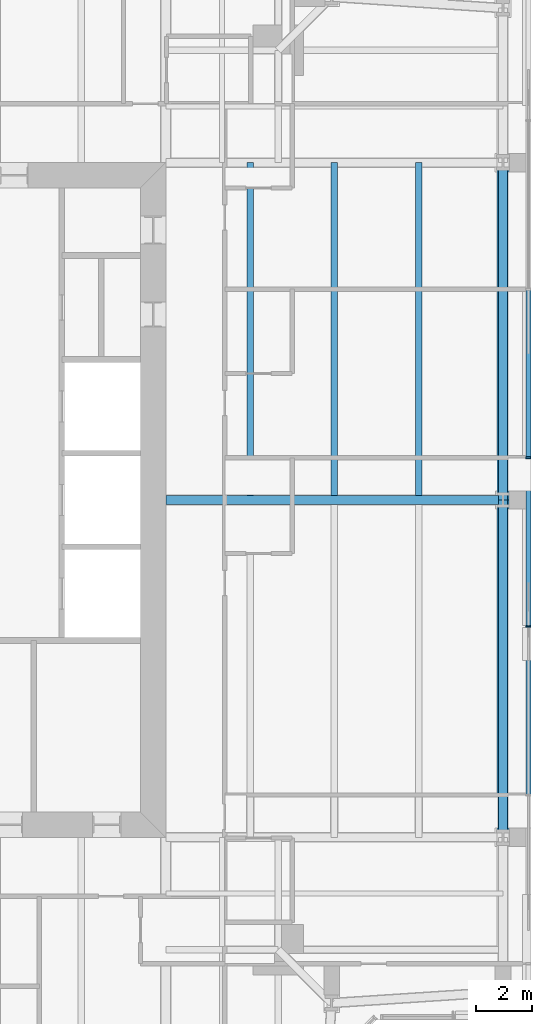
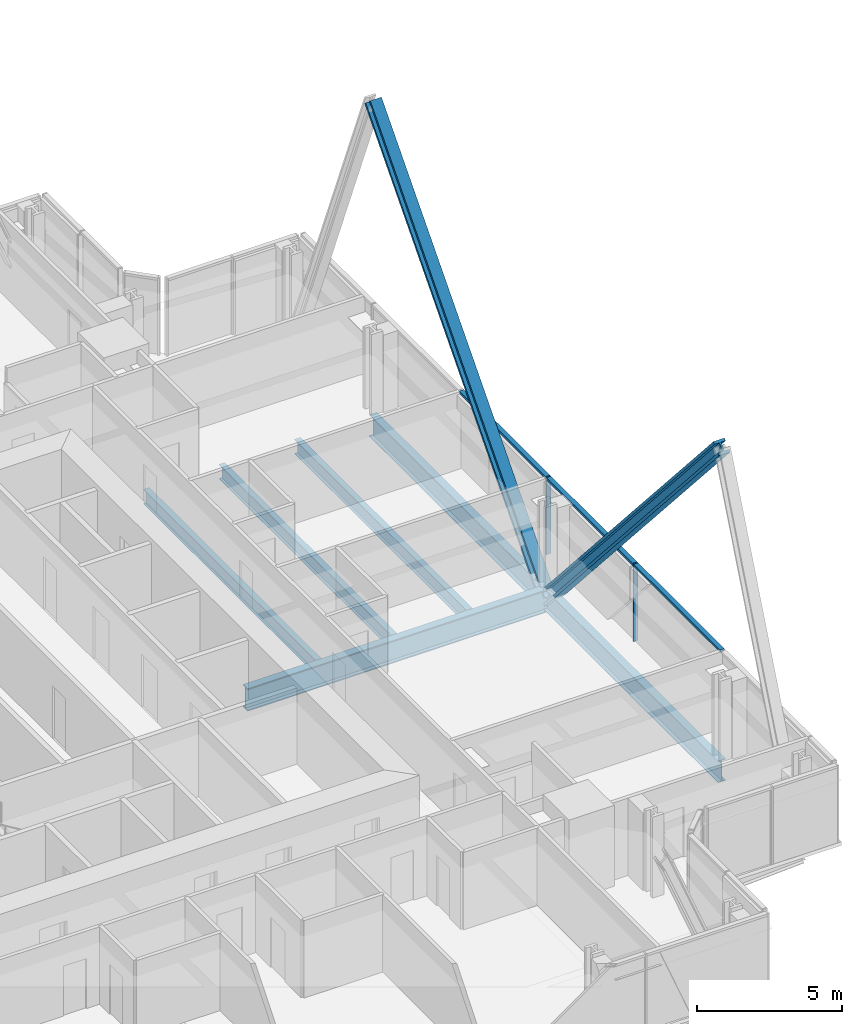
# One storey, part 6 of 20: 7 members, 6 beams, 1 element without a shape of its own.
"""IFC4 building model written with IfcOpenShell, lengths in metres."""

from ifc_helpers import new_model, si_unit, direction, frame, origin, origin_2d, place, context, subcontext, project, spatial, rectangle, i_section, extrude, material, material_profile, profile_set, type_object, element, aggregate, save


model = new_model("IFC4")

# Units and contexts
model_context = context("Model", 3, precision=1e-05, world=origin(), true_north=direction((0.0, 1.0)))
body_context = subcontext(model_context, "Body", "Model", "MODEL_VIEW")
ifc_project = project(units=[si_unit("LENGTHUNIT", "METRE"), si_unit("AREAUNIT", "SQUARE_METRE"), si_unit("VOLUMEUNIT", "CUBIC_METRE"), si_unit("PLANEANGLEUNIT", "RADIAN"), si_unit("MASSUNIT", "GRAM", prefix="KILO")], contexts=[model_context])

# Site, building, storey
site_placement = place(None, origin())
site = spatial("IfcSite", under=ifc_project, at=site_placement, CompositionType="ELEMENT")
building_placement = place(site_placement, origin())
building = spatial("IfcBuilding", under=site, at=building_placement, Name="Fenwick Lantern Interchange", CompositionType="ELEMENT")
storey_placement = place(building_placement, frame((0.0, 0.0, 256.0)))
storey = spatial("IfcBuildingStorey", under=building, at=storey_placement, Name="L60", CompositionType="ELEMENT", Elevation=256.0)

# Beams
ifc_material_1 = material(Name="Steel ASTM A992 Grade 50", Category="steel")
ifc_material_profile_1 = material_profile(ifc_material_1, i_section(OverallWidth=0.3046875, OverallDepth=0.911865234375, WebThickness=0.015869140625, FlangeThickness=0.02392578125, at=origin_2d()), Name="W36X150")
ifc_profile_set_1 = profile_set([ifc_material_profile_1], Name="Steel ASTM A992 Grade 50")
beam_type_1 = type_object("IfcBeamType", Name="EDGE BEAM W36X150", PredefinedType="SPANDREL", material=ifc_profile_set_1)
for number, where, z_axis, x_axis, name in (
    (1, (49.0, 13.0, -0.60595703125), (0.0, 1.0, 0.0), (-1.0, 0.0, 0.0), "L60/FR/E/EB2"),
    (2, (49.0, 25.0, -0.60595703125), (0.0, 1.0, 0.0), (-1.0, 0.0, 0.0), "L60/FR/E/EB3"),
):
    element("IfcBeam", number, at=place(storey_placement, frame(where, z_axis=z_axis, x_axis=x_axis)), inside=storey, type_object=beam_type_1, Name=name, PredefinedType="SPANDREL", context=body_context, shape_type="SweptSolid", body=[
        extrude(i_section(OverallWidth=0.3046875, OverallDepth=0.911865234375, WebThickness=0.015869140625, FlangeThickness=0.02392578125, at=origin_2d()), origin(), (0.0, 0.0, 1.0), 12.0),
    ])

# Members
ifc_material_profile_2 = material_profile(ifc_material_1, i_section(OverallWidth=0.44189453125, OverallDepth=0.53076171875, WebThickness=0.06591796875, FlangeThickness=0.105712890625, at=origin_2d()), Name="W14X605")
ifc_profile_set_2 = profile_set([ifc_material_profile_2], Name="Steel ASTM A992 Grade 50")
member_type_1 = type_object("IfcMemberType", Name="FACADE BRACE W14X605", PredefinedType="BRACE", material=ifc_profile_set_2)
for number, where, z_axis, x_axis, name in (
    (3, (49.0, 25.0, -0.60595703125), (0.0, -0.661618965899, 0.749840212287), (1.0, 0.0, 0.0), "L60/FB/E/A"),
    (4, (49.0, 25.0, -0.60595703125), (0.0, 0.661618965899, 0.749840212287), (-1.0, 0.0, 0.0), "L60/FB/E/B"),
):
    element("IfcMember", number, at=place(storey_placement, frame(where, z_axis=z_axis, x_axis=x_axis)), inside=storey, type_object=member_type_1, Name=name, PredefinedType="BRACE", context=body_context, shape_type="SweptSolid", body=[
        extrude(i_section(OverallWidth=0.44189453125, OverallDepth=0.53076171875, WebThickness=0.06591796875, FlangeThickness=0.105712890625, at=origin_2d()), origin(), (0.0, 0.0, 1.0), 18.13720703125),
    ])

# Beams
ifc_material_profile_3 = material_profile(ifc_material_1, i_section(OverallWidth=0.22900390625, OverallDepth=0.612060546875, WebThickness=0.011962890625, FlangeThickness=0.01953125, at=origin_2d()), Name="W24X84")
ifc_profile_set_3 = profile_set([ifc_material_profile_3], Name="Steel ASTM A992 Grade 50")
beam_type_2 = type_object("IfcBeamType", Name="FLOOR BEAM W24X84", PredefinedType="BEAM", material=ifc_profile_set_3)
for number, where, z_axis, x_axis, name in (
    (5, (46.0, 25.155029296875, -0.4560546875), (0.0, 1.0, 0.0), (-1.0, 0.0, 0.0), "L60/FR/E/B04"),
    (6, (43.0, 25.155029296875, -0.4560546875), (0.0, 1.0, 0.0), (-1.0, 0.0, 0.0), "L60/FR/E/B05"),
    (7, (40.0, 25.155029296875, -0.4560546875), (0.0, 1.0, 0.0), (-1.0, 0.0, 0.0), "L60/FR/E/B06"),
):
    element("IfcBeam", number, at=place(storey_placement, frame(where, z_axis=z_axis, x_axis=x_axis)), inside=storey, type_object=beam_type_2, Name=name, PredefinedType="BEAM", context=body_context, shape_type="SweptSolid", body=[
        extrude(i_section(OverallWidth=0.22900390625, OverallDepth=0.612060546875, WebThickness=0.011962890625, FlangeThickness=0.01953125, at=origin_2d()), origin(), (0.0, 0.0, 1.0), 11.844970703125),
    ])

# Curtain wall, members
ifc_material_2 = material(Name="Aluminium curtain wall frame", Category="aluminium")
curtain_wall_type = type_object("IfcCurtainWallType", Name="HOTEL CURTAIN WALL", PredefinedType="USERDEFINED", material=ifc_material_2)
curtain_wall_placement = place(storey_placement, origin())
curtain_wall = element("IfcCurtainWall", 8, at=curtain_wall_placement, inside=storey, type_object=curtain_wall_type, Name="Hotel curtain wall 05", ObjectType="HOTEL CURTAIN WALL", PredefinedType="USERDEFINED")
ifc_material_3 = material(Name="Aluminium extrusion", Category="aluminium")
ifc_material_profile_4 = material_profile(ifc_material_3, rectangle(XDim=0.179931640625, YDim=0.06005859375, at=origin_2d()), Name="HOTEL CURTAIN WALL MULLION 60 X 180")
ifc_profile_set_4 = profile_set([ifc_material_profile_4], Name="Aluminium extrusion")
member_type_2 = type_object("IfcMemberType", Name="HOTEL CURTAIN WALL MULLION 60 X 180", PredefinedType="MULLION", material=ifc_profile_set_4)
member_1_placement = place(storey_placement, frame((49.89990234375, 20.5, 0.0), z_axis=(0.0, 0.0, 1.0), x_axis=(-1.0, 0.0, 0.0)))
member_1 = element("IfcMember", 9, at=member_1_placement, type_object=member_type_2, Name="L60/CW/05/M03", PredefinedType="MULLION", context=body_context, shape_type="SweptSolid", body=[
    extrude(rectangle(XDim=0.179931640625, YDim=0.06005859375, at=origin_2d()), origin(), (0.0, 0.0, 1.0), 3.25),
])
member_2_placement = place(storey_placement, frame((49.89990234375, 26.5, 0.0), z_axis=(0.0, 0.0, 1.0), x_axis=(-1.0, 0.0, 0.0)))
member_2 = element("IfcMember", 10, at=member_2_placement, type_object=member_type_2, Name="L60/CW/05/M04", PredefinedType="MULLION", context=body_context, shape_type="SweptSolid", body=[
    extrude(rectangle(XDim=0.179931640625, YDim=0.06005859375, at=origin_2d()), origin(), (0.0, 0.0, 1.0), 3.25),
])
ifc_material_profile_5 = material_profile(ifc_material_3, rectangle(XDim=0.179931640625, YDim=0.10009765625, at=origin_2d()), Name="HOTEL CURTAIN WALL TRANSOM 100 X 180")
ifc_profile_set_5 = profile_set([ifc_material_profile_5], Name="Aluminium extrusion")
member_type_3 = type_object("IfcMemberType", Name="HOTEL CURTAIN WALL TRANSOM 100 X 180", PredefinedType="MULLION", material=ifc_profile_set_5)
member_3_placement = place(storey_placement, frame((49.89990234375, 14.530029296875, 3.199951171875), z_axis=(0.0, 1.0, 0.0), x_axis=(-1.0, 0.0, 0.0)))
member_3 = element("IfcMember", 11, at=member_3_placement, type_object=member_type_3, Name="L60/CW/05/T02", PredefinedType="MULLION", context=body_context, shape_type="SweptSolid", body=[
    extrude(rectangle(XDim=0.179931640625, YDim=0.10009765625, at=origin_2d()), origin(), (0.0, 0.0, 1.0), 5.93994140625),
])
member_4_placement = place(storey_placement, frame((49.89990234375, 20.530029296875, 3.199951171875), z_axis=(0.0, 1.0, 0.0), x_axis=(-1.0, 0.0, 0.0)))
member_4 = element("IfcMember", 12, at=member_4_placement, type_object=member_type_3, Name="L60/CW/05/T03", PredefinedType="MULLION", context=body_context, shape_type="SweptSolid", body=[
    extrude(rectangle(XDim=0.179931640625, YDim=0.10009765625, at=origin_2d()), origin(), (0.0, 0.0, 1.0), 5.93994140625),
])
member_5_placement = place(storey_placement, frame((49.89990234375, 26.530029296875, 3.199951171875), z_axis=(0.0, 1.0, 0.0), x_axis=(-1.0, 0.0, 0.0)))
member_5 = element("IfcMember", 13, at=member_5_placement, type_object=member_type_3, Name="L60/CW/05/T04", PredefinedType="MULLION", context=body_context, shape_type="SweptSolid", body=[
    extrude(rectangle(XDim=0.179931640625, YDim=0.10009765625, at=origin_2d()), origin(), (0.0, 0.0, 1.0), 5.93994140625),
])
aggregate(curtain_wall, [member_1, member_2, member_3, member_4, member_5])

# Beam
ifc_material_profile_6 = material_profile(ifc_material_1, i_section(OverallWidth=0.309814453125, OverallDepth=0.949951171875, WebThickness=0.0244140625, FlangeThickness=0.0439453125, at=origin_2d()), Name="W36X256")
ifc_profile_set_6 = profile_set([ifc_material_profile_6], Name="Steel ASTM A992 Grade 50")
beam_type_3 = type_object("IfcBeamType", Name="MOMENT-CONNECTED GIRDER W36X256", PredefinedType="BEAM", material=ifc_profile_set_6)
beam_placement = place(storey_placement, frame((49.0, 25.0, -0.625), z_axis=(-1.0, 0.0, 0.0), x_axis=(0.0, -1.0, 0.0)))
element("IfcBeam", 14, at=beam_placement, inside=storey, type_object=beam_type_3, Name="L60/FR/E/R02", PredefinedType="BEAM", context=body_context, shape_type="SweptSolid", body=[
    extrude(i_section(OverallWidth=0.309814453125, OverallDepth=0.949951171875, WebThickness=0.0244140625, FlangeThickness=0.0439453125, at=origin_2d()), origin(), (0.0, 0.0, 1.0), 12.0),
])

save(model, "model.ifc")
